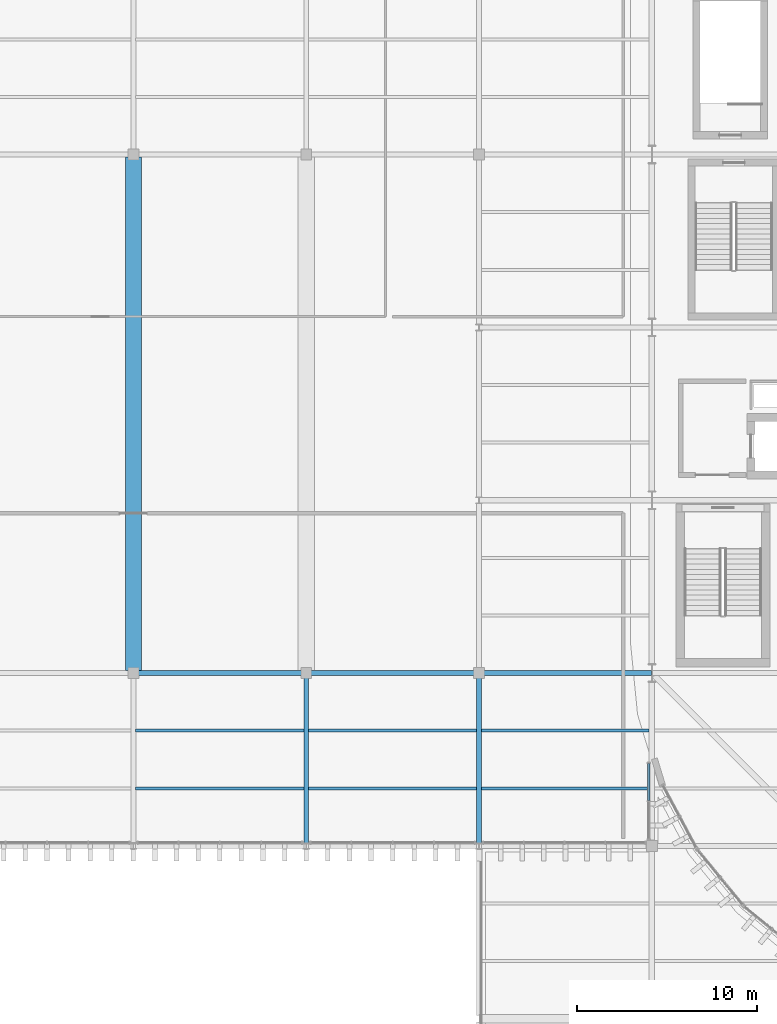
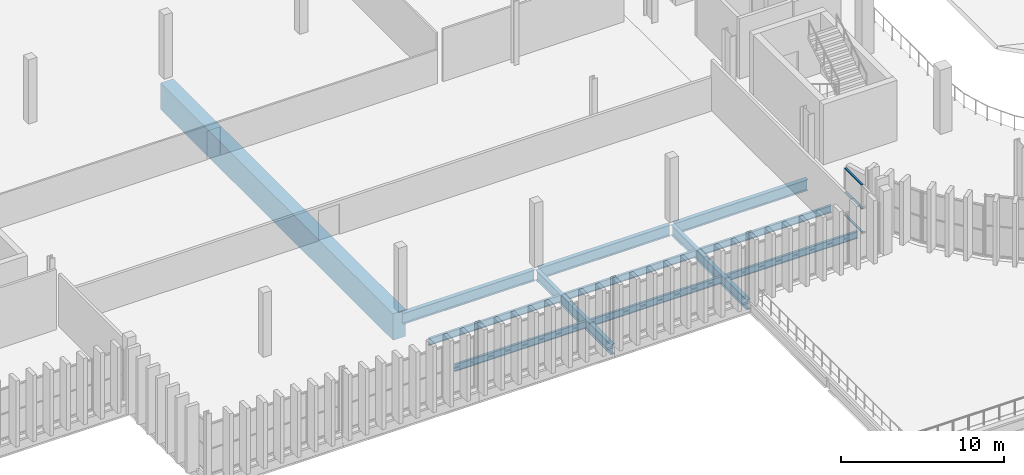
# One storey, part 18 of 99: 12 beams, 3 members, 1 element without a shape of its own.
"""IFC4 building model written with IfcOpenShell, lengths in metres."""

from ifc_helpers import new_model, si_unit, direction, frame, origin, origin_2d, place, context, subcontext, project, spatial, rectangle, i_section, extrude, material, layer, layer_set, material_profile, profile_set, type_object, element, aggregate, save


model = new_model("IFC4")

# Units and contexts
model_context = context("Model", 3, precision=1e-05, world=origin(), true_north=direction((0.0, 1.0)))
body_context = subcontext(model_context, "Body", "Model", "MODEL_VIEW")
ifc_project = project(units=[si_unit("LENGTHUNIT", "METRE"), si_unit("AREAUNIT", "SQUARE_METRE"), si_unit("VOLUMEUNIT", "CUBIC_METRE"), si_unit("PLANEANGLEUNIT", "RADIAN"), si_unit("MASSUNIT", "GRAM", prefix="KILO")], contexts=[model_context])

# Site, building, storey
site_placement = place(None, origin())
site = spatial("IfcSite", under=ifc_project, at=site_placement, CompositionType="ELEMENT")
building_placement = place(site_placement, origin())
building = spatial("IfcBuilding", under=site, at=building_placement, Name="Caelomonte Colonnade Arena", CompositionType="ELEMENT")
storey_placement = place(building_placement, frame((0.0, 0.0, 4.800048828125)))
storey = spatial("IfcBuildingStorey", under=building, at=storey_placement, Name="L01", CompositionType="ELEMENT", Elevation=4.800048828125)

# Curtain wall, members
ifc_material_1 = material(Name="Bronze anodised aluminium and low-E glazing", Category="aluminium")
ifc_layer = layer(ifc_material_1, 0.179931640625)
ifc_layer_set = layer_set([ifc_layer], Name="Bronze anodised aluminium and low-E glazing")
curtain_wall_type = type_object("IfcCurtainWallType", Name="ENV-CW-CW-L01-48-36", PredefinedType="USERDEFINED", material=ifc_layer_set)
curtain_wall_placement = place(storey_placement, origin())
curtain_wall = element("IfcCurtainWall", 1, at=curtain_wall_placement, inside=storey, type_object=curtain_wall_type, Name="L01 unitized curtain wall CW-L01-0574-0312", ObjectType="UNITIZED CURTAIN WALL", PredefinedType="USERDEFINED")
ifc_material_2 = material(Name="Bronze anodised aluminium AA6063-T6", Category="aluminium")
ifc_material_profile_1 = material_profile(ifc_material_2, rectangle(XDim=0.070068359375, YDim=0.139892578125, at=origin_2d()), Name="CWT-70X140")
ifc_profile_set_1 = profile_set([ifc_material_profile_1], Name="Bronze anodised aluminium AA6063-T6")
member_type = type_object("IfcMemberType", Name="ENV-CW-TRAN1", PredefinedType="USERDEFINED", material=ifc_profile_set_1)
member_1_placement = place(storey_placement, frame((57.419921875, 31.312744140625, 0.034912109375), z_axis=(0.0, 1.0, 0.0), x_axis=(0.0, 0.0, 1.0)))
member_1 = element("IfcMember", 2, at=member_1_placement, type_object=member_type, Name="CW-L01-48-36 transom 2.1", ObjectType="TRANSOM", PredefinedType="USERDEFINED", context=body_context, shape_type="SweptSolid", body=[
    extrude(rectangle(XDim=0.070068359375, YDim=0.139892578125, at=origin_2d()), origin(), (0.0, 0.0, 1.0), 2.052734375),
])
member_2_placement = place(storey_placement, frame((57.419921875, 31.312744140625, 1.79638671875), z_axis=(0.0, 1.0, 0.0), x_axis=(0.0, 0.0, 1.0)))
member_2 = element("IfcMember", 3, at=member_2_placement, type_object=member_type, Name="CW-L01-48-36 transom 2.2", ObjectType="TRANSOM", PredefinedType="USERDEFINED", context=body_context, shape_type="SweptSolid", body=[
    extrude(rectangle(XDim=0.070068359375, YDim=0.139892578125, at=origin_2d()), origin(), (0.0, 0.0, 1.0), 2.052734375),
])
member_3_placement = place(storey_placement, frame((57.419921875, 31.312744140625, 3.557861328125), z_axis=(0.0, 1.0, 0.0), x_axis=(0.0, 0.0, 1.0)))
member_3 = element("IfcMember", 4, at=member_3_placement, type_object=member_type, Name="CW-L01-48-36 transom 2.3", ObjectType="TRANSOM", PredefinedType="USERDEFINED", context=body_context, shape_type="SweptSolid", body=[
    extrude(rectangle(XDim=0.070068359375, YDim=0.139892578125, at=origin_2d()), origin(), (0.0, 0.0, 1.0), 2.052734375),
])
aggregate(curtain_wall, [member_1, member_2, member_3])

# Beams
ifc_material_3 = material(Name="Wide-flange steel ASTM A992 Grade 50", Category="steel")
ifc_material_profile_2 = material_profile(ifc_material_3, i_section(OverallWidth=0.2666015625, OverallDepth=0.761962890625, WebThickness=0.014404296875, FlangeThickness=0.021484375, FilletRadius=0.0166015625, at=origin_2d()), Name="W30X116")
ifc_profile_set_2 = profile_set([ifc_material_profile_2], Name="Wide-flange steel ASTM A992 Grade 50")
beam_type_1 = type_object("IfcBeamType", Name="STR-BM-GIRD30", PredefinedType="BEAM", material=ifc_profile_set_2)
for number, where, z_axis, x_axis, name in (
    (5, (38.39990234375, 28.97021484375, -0.68115234375), (0.0, 1.0, 0.0), (-1.0, 0.0, 0.0), "L01 girder BMY-L01-0384-0288"),
    (6, (48.0, 28.97021484375, -0.68115234375), (0.0, 1.0, 0.0), (-1.0, 0.0, 0.0), "L01 girder BMY-L01-0480-0288"),
):
    element("IfcBeam", number, at=place(storey_placement, frame(where, z_axis=z_axis, x_axis=x_axis)), inside=storey, type_object=beam_type_1, Name=name, PredefinedType="BEAM", context=body_context, shape_type="SweptSolid", body=[
        extrude(i_section(OverallWidth=0.2666015625, OverallDepth=0.761962890625, WebThickness=0.014404296875, FlangeThickness=0.021484375, FilletRadius=0.0166015625, at=origin_2d()), origin(), (0.0, 0.0, 1.0), 9.285400390625),
    ])
ifc_material_profile_3 = material_profile(ifc_material_3, i_section(OverallWidth=0.2919921875, OverallDepth=0.835693359375, WebThickness=0.013916015625, FlangeThickness=0.018798828125, FilletRadius=0.017822265625, at=origin_2d()), Name="W33X118")
ifc_profile_set_3 = profile_set([ifc_material_profile_3], Name="Wide-flange steel ASTM A992 Grade 50")
beam_type_2 = type_object("IfcBeamType", Name="STR-BM-GIRD33B", PredefinedType="BEAM", material=ifc_profile_set_3)
for number, where, z_axis, x_axis, name in (
    (7, (28.9443359375, 38.39990234375, -0.7177734375), (1.0, 0.0, 0.0), (0.0, 1.0, 0.0), "L01 girder BMX-L01-0288-0384"),
    (8, (38.54443359375, 38.39990234375, -0.7177734375), (1.0, 0.0, 0.0), (0.0, 1.0, 0.0), "L01 girder BMX-L01-0384-0384"),
):
    element("IfcBeam", number, at=place(storey_placement, frame(where, z_axis=z_axis, x_axis=x_axis)), inside=storey, type_object=beam_type_2, Name=name, PredefinedType="BEAM", context=body_context, shape_type="SweptSolid", body=[
        extrude(i_section(OverallWidth=0.2919921875, OverallDepth=0.835693359375, WebThickness=0.013916015625, FlangeThickness=0.018798828125, FilletRadius=0.017822265625, at=origin_2d()), origin(), (0.0, 0.0, 1.0), 9.311279296875),
    ])
beam_1_placement = place(storey_placement, frame((48.144287109375, 38.39990234375, -0.7177734375), z_axis=(1.0, 0.0, 0.0), x_axis=(0.0, 1.0, 0.0)))
element("IfcBeam", 9, at=beam_1_placement, inside=storey, type_object=beam_type_2, Name="L01 girder BMX-L01-0480-0384", PredefinedType="BEAM", context=body_context, shape_type="SweptSolid", body=[
    extrude(i_section(OverallWidth=0.2919921875, OverallDepth=0.835693359375, WebThickness=0.013916015625, FlangeThickness=0.018798828125, FilletRadius=0.017822265625, at=origin_2d()), origin(), (0.0, 0.0, 1.0), 9.440185546875),
])
ifc_material_profile_4 = material_profile(ifc_material_3, i_section(OverallWidth=0.166015625, OverallDepth=0.5283203125, WebThickness=0.009765625, FlangeThickness=0.013671875, FilletRadius=0.0126953125, at=origin_2d()), Name="W21X50")
ifc_profile_set_4 = profile_set([ifc_material_profile_4], Name="Wide-flange steel ASTM A992 Grade 50")
beam_type_3 = type_object("IfcBeamType", Name="STR-BM-JOIST21B", PredefinedType="JOIST", material=ifc_profile_set_4)
for number, where, z_axis, x_axis, name in (
    (10, (28.928466796875, 32.0, -0.564208984375), (1.0, 0.0, 0.0), (0.0, 1.0, 0.0), "L01 secondary joist 1"),
    (11, (28.928466796875, 35.199951171875, -0.564208984375), (1.0, 0.0, 0.0), (0.0, 1.0, 0.0), "L01 secondary joist 2"),
    (12, (38.5283203125, 32.0, -0.564208984375), (1.0, 0.0, 0.0), (0.0, 1.0, 0.0), "L01 secondary joist 1"),
    (13, (38.5283203125, 35.199951171875, -0.564208984375), (1.0, 0.0, 0.0), (0.0, 1.0, 0.0), "L01 secondary joist 2"),
):
    element("IfcBeam", number, at=place(storey_placement, frame(where, z_axis=z_axis, x_axis=x_axis)), inside=storey, type_object=beam_type_3, Name=name, PredefinedType="JOIST", context=body_context, shape_type="SweptSolid", body=[
        extrude(i_section(OverallWidth=0.166015625, OverallDepth=0.5283203125, WebThickness=0.009765625, FlangeThickness=0.013671875, FilletRadius=0.0126953125, at=origin_2d()), origin(), (0.0, 0.0, 1.0), 9.34326171875),
    ])
for number, where, z_axis, x_axis, name in (
    (14, (48.12841796875, 32.0, -0.564208984375), (1.0, 0.0, 0.0), (0.0, 1.0, 0.0), "L01 secondary joist 1"),
    (15, (48.12841796875, 35.199951171875, -0.564208984375), (1.0, 0.0, 0.0), (0.0, 1.0, 0.0), "L01 secondary joist 2"),
):
    element("IfcBeam", number, at=place(storey_placement, frame(where, z_axis=z_axis, x_axis=x_axis)), inside=storey, type_object=beam_type_3, Name=name, PredefinedType="JOIST", context=body_context, shape_type="SweptSolid", body=[
        extrude(i_section(OverallWidth=0.166015625, OverallDepth=0.5283203125, WebThickness=0.009765625, FlangeThickness=0.013671875, FilletRadius=0.0126953125, at=origin_2d()), origin(), (0.0, 0.0, 1.0), 9.32275390625),
    ])
ifc_material_4 = material(Name="Concrete C50/60", Category="concrete")
ifc_material_profile_5 = material_profile(ifc_material_4, rectangle(XDim=0.89990234375, YDim=2.0, at=origin_2d()), Name="RC900X2000")
ifc_profile_set_5 = profile_set([ifc_material_profile_5], Name="Concrete C50/60")
beam_type_4 = type_object("IfcBeamType", Name="STR-BM-TG20", PredefinedType="USERDEFINED", material=ifc_profile_set_5)
beam_2_placement = place(storey_placement, frame((28.800048828125, 38.54443359375, -1.300048828125), z_axis=(0.0, 1.0, 0.0), x_axis=(-1.0, 0.0, 0.0)))
element("IfcBeam", 16, at=beam_2_placement, inside=storey, type_object=beam_type_4, Name="L01 Transfer Girder BMY-L01-0288-0384", ObjectType="TRANSFER GIRDER", PredefinedType="USERDEFINED", context=body_context, shape_type="SweptSolid", body=[
    extrude(rectangle(XDim=0.89990234375, YDim=2.0, at=origin_2d()), origin(), (0.0, 0.0, 1.0), 28.51123046875),
])

save(model, "model.ifc")
